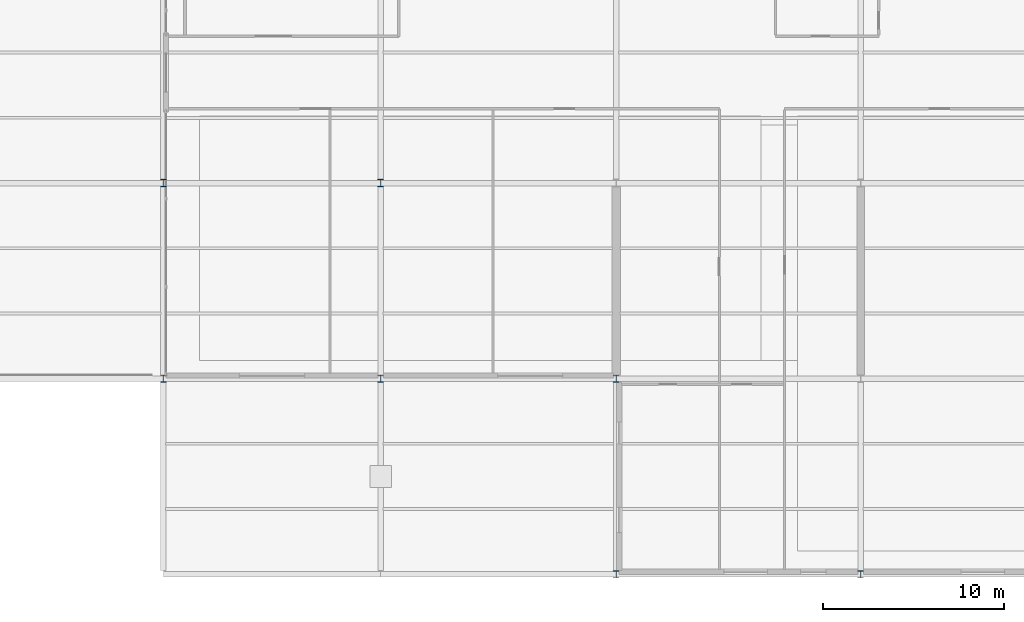
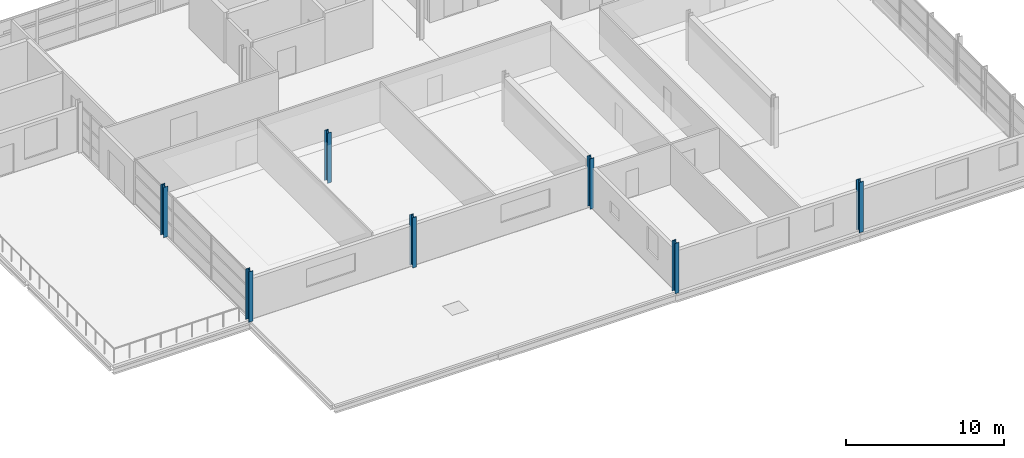
# One storey, part 1 of 33: 7 columns.
"""IFC4 building model written with IfcOpenShell, lengths in metres."""

from ifc_helpers import new_model, si_unit, direction, frame, origin, origin_2d, place, context, subcontext, project, spatial, i_section, extrude, material, material_profile, profile_set, type_object, element, save


model = new_model("IFC4")

# Units and contexts
model_context = context("Model", 3, precision=1e-05, world=origin(), true_north=direction((0.0, 1.0)))
body_context = subcontext(model_context, "Body", "Model", "MODEL_VIEW")
ifc_project = project(units=[si_unit("LENGTHUNIT", "METRE"), si_unit("AREAUNIT", "SQUARE_METRE"), si_unit("VOLUMEUNIT", "CUBIC_METRE"), si_unit("PLANEANGLEUNIT", "RADIAN"), si_unit("MASSUNIT", "GRAM", prefix="KILO")], contexts=[model_context])

# Site, building, storey
site_placement = place(None, origin())
site = spatial("IfcSite", under=ifc_project, at=site_placement, CompositionType="ELEMENT")
building_placement = place(site_placement, origin())
building = spatial("IfcBuilding", under=site, at=building_placement, Name="Tamarisk Ironworks Central Station", CompositionType="ELEMENT")
storey_placement = place(building_placement, frame((0.0, 0.0, 21.300048828125)))
storey = spatial("IfcBuildingStorey", under=building, at=storey_placement, Name="L04", CompositionType="ELEMENT", Elevation=21.300048828125)

# Columns
ifc_material = material(Name="Structural steel S355J2", Category="steel")
ifc_material_profile = material_profile(ifc_material, i_section(OverallWidth=0.300048828125, OverallDepth=0.39990234375, WebThickness=0.013427734375, FlangeThickness=0.02392578125, at=origin_2d()), Name="HEB 400")
ifc_profile_set = profile_set([ifc_material_profile], Name="Structural steel S355J2")
column_type = type_object("IfcColumnType", Name="COL-S09", PredefinedType="COLUMN", material=ifc_profile_set)
for number, where, z_axis, x_axis, name in (
    (1, (128.0, 90.0, 0.0), (0.0, 0.0, 1.0), (1.0, 0.0, 0.0), "L04 column V5-16H"),
    (2, (128.0, 100.800048828125, 0.0), (0.0, 0.0, 1.0), (1.0, 0.0, 0.0), "L04 column V5-16J"),
    (3, (140.0, 90.0, 0.0), (0.0, 0.0, 1.0), (1.0, 0.0, 0.0), "L04 column V5-17H"),
    (4, (140.0, 100.800048828125, 0.0), (0.0, 0.0, 1.0), (1.0, 0.0, 0.0), "L04 column V5-17J"),
    (5, (153.0, 79.199951171875, 0.0), (0.0, 0.0, 1.0), (1.0, 0.0, 0.0), "L04 column V5-18G"),
    (6, (153.0, 90.0, 0.0), (0.0, 0.0, 1.0), (1.0, 0.0, 0.0), "L04 column V5-18H"),
    (7, (166.5, 79.199951171875, 0.0), (0.0, 0.0, 1.0), (1.0, 0.0, 0.0), "L04 column V5-19G"),
):
    element("IfcColumn", number, at=place(storey_placement, frame(where, z_axis=z_axis, x_axis=x_axis)), inside=storey, type_object=column_type, Name=name, PredefinedType="COLUMN", context=body_context, shape_type="SweptSolid", body=[
        extrude(i_section(OverallWidth=0.300048828125, OverallDepth=0.39990234375, WebThickness=0.013427734375, FlangeThickness=0.02392578125, at=origin_2d()), origin(), (0.0, 0.0, 1.0), 3.89990234375),
    ])

save(model, "model.ifc")
